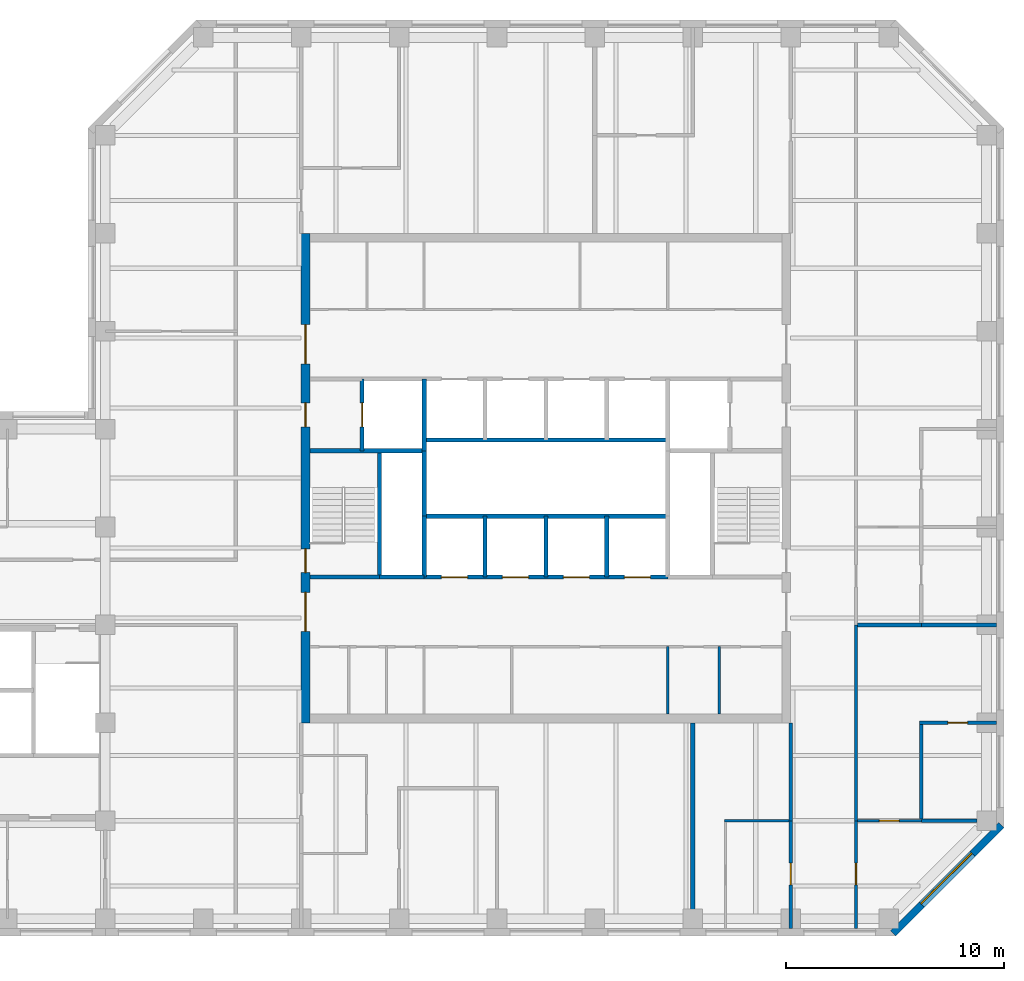
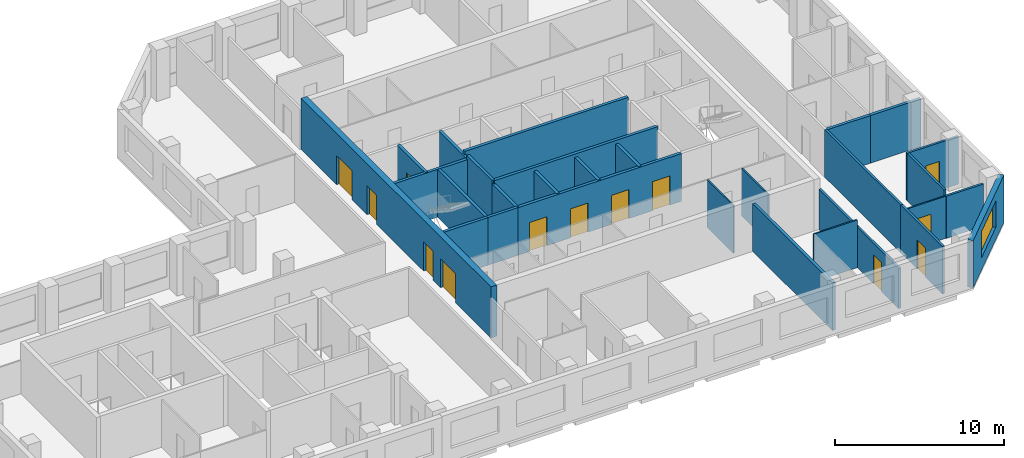
# One storey, part 5 of 9: 30 walls, 13 doors, 1 window, 14 openings.
"""IFC4 building model written with IfcOpenShell, lengths in metres."""

from ifc_helpers import new_model, si_unit, direction, frame, frame_2d, origin, place, context, subcontext, project, spatial, rectangle, extrude, material, layer, layer_set, constituent, constituent_set, type_object, element, fill, save


model = new_model("IFC4")

# Units and contexts
model_context = context("Model", 3, precision=1e-05, world=origin(), true_north=direction((0.0, 1.0)))
body_context = subcontext(model_context, "Body", "Model", "MODEL_VIEW")
ifc_project = project(units=[si_unit("LENGTHUNIT", "METRE"), si_unit("AREAUNIT", "SQUARE_METRE"), si_unit("VOLUMEUNIT", "CUBIC_METRE"), si_unit("PLANEANGLEUNIT", "RADIAN"), si_unit("MASSUNIT", "GRAM", prefix="KILO")], contexts=[model_context])

# Site, building, storey
site_placement = place(None, origin())
site = spatial("IfcSite", under=ifc_project, at=site_placement, CompositionType="ELEMENT")
building_placement = place(site_placement, origin())
building = spatial("IfcBuilding", under=site, at=building_placement, Name="Quoin Convention Tower", CompositionType="ELEMENT")
storey_placement = place(building_placement, frame((0.0, 0.0, 260.0)))
storey = spatial("IfcBuildingStorey", under=building, at=storey_placement, Name="L68", CompositionType="ELEMENT", Elevation=260.0)

# Wall, opening, door
ifc_material_1 = material(Name="Plasterboard")
ifc_layer_1 = layer(ifc_material_1, 0.012451171875, Name="Finish")
ifc_material_2 = material(Name="Steel stud framing", Category="steel")
ifc_layer_2 = layer(ifc_material_2, 0.125, Name="Structure")
ifc_layer_3 = layer(ifc_material_1, 0.012451171875, Name="Finish")
ifc_layer_set_1 = layer_set([ifc_layer_1, ifc_layer_2, ifc_layer_3], Name="Steel stud framing")
wall_type_1 = type_object("IfcWallType", Name="Acoustic partition 150", PredefinedType="PARTITIONING", material=ifc_layer_set_1)
wall_1_placement = place(storey_placement, frame((73.425048828125, 49.5, 0.0), z_axis=(0.0, 0.0, 1.0), x_axis=(1.0, 0.0, 0.0)))
wall_1 = element("IfcWall", 1, at=wall_1_placement, inside=storey, type_object=wall_type_1, Name="pw-L68-009", PredefinedType="PARTITIONING", context=body_context, shape_type="SweptSolid", body=[
    extrude(rectangle(XDim=3.52490234375, YDim=0.14990234375, at=frame_2d((1.762451171875, 0.0))), origin(), (0.0, 0.0, 1.0), 3.449951171875),
])
opening_1_placement = place(wall_1_placement, frame((1.300048828125, 0.0, 0.0)))
opening_1 = element("IfcOpeningElement", 2, at=opening_1_placement, cuts=wall_1, Name="Opening DOHS-02", PredefinedType="OPENING", context=body_context, shape_type="SweptSolid", body=[
    extrude(rectangle(XDim=0.89990234375, YDim=2.10009765625, at=frame_2d((0.449951171875, 1.050048828125))), frame((0.0, 0.0849609375, 0.0), z_axis=(0.0, -1.0, 0.0), x_axis=(1.0, 0.0, 0.0)), (0.0, 0.0, 1.0), 0.169921875),
])
ifc_material_3 = material(Name="Steel door leaf", Category="steel")
door_type_1 = type_object("IfcDoorType", Name="Office door 900 x 2100", OperationType="SINGLE_SWING_RIGHT", PredefinedType="DOOR", material=ifc_material_3)
door_1_placement = place(opening_1_placement, origin())
door_1 = element("IfcDoor", 3, at=door_1_placement, inside=storey, type_object=door_type_1, Name="dr-L68-16", OperationType="SINGLE_SWING_RIGHT", OverallHeight=2.10009765625, OverallWidth=0.89990234375, PredefinedType="DOOR", context=body_context, shape_type="SweptSolid", body=[
    extrude(rectangle(XDim=0.89990234375, YDim=2.10009765625, at=frame_2d((0.449951171875, 1.050048828125))), frame((0.0, 0.02490234375, 0.0), z_axis=(0.0, -1.0, 0.0), x_axis=(1.0, 0.0, 0.0)), (0.0, 0.0, 1.0), 0.050048828125),
])
fill(opening_1, door_1)

# Walls
wall_2_placement = place(storey_placement, frame((73.5, 45.074951171875, 0.0), z_axis=(0.0, 0.0, 1.0), x_axis=(0.0, 1.0, 0.0)))
element("IfcWall", 4, at=wall_2_placement, inside=storey, type_object=wall_type_1, Name="pw-L68-034", PredefinedType="PARTITIONING", context=body_context, shape_type="SweptSolid", body=[
    extrude(rectangle(XDim=4.35009765625, YDim=0.14990234375, at=frame_2d((2.175048828125, 0.0))), origin(), (0.0, 0.0, 1.0), 3.449951171875),
])
ifc_layer_4 = layer(ifc_material_1, 0.012451171875, Name="Finish")
ifc_layer_5 = layer(ifc_material_2, 0.125, Name="Structure")
ifc_layer_6 = layer(ifc_material_1, 0.012451171875, Name="Finish")
ifc_layer_set_2 = layer_set([ifc_layer_4, ifc_layer_5, ifc_layer_6], Name="Steel stud framing")
wall_type_2 = type_object("IfcWallType", Name="Acoustic partition 150 under beam 403", PredefinedType="PARTITIONING", material=ifc_layer_set_2)
wall_3_placement = place(storey_placement, frame((73.5, 45.0, 0.0), z_axis=(0.0, 0.0, 1.0), x_axis=(1.0, 0.0, 0.0)))
element("IfcWall", 5, at=wall_3_placement, inside=storey, type_object=wall_type_2, Name="pw-L68-004", PredefinedType="PARTITIONING", context=body_context, shape_type="SweptSolid", body=[
    extrude(rectangle(XDim=2.550048828125, YDim=0.14990234375, at=frame_2d((1.27490234375, 0.0))), origin(), (0.0, 0.0, 1.0), 3.047119140625),
])

# Wall, opening, window
ifc_material_4 = material(Name="Brick masonry", Category="masonry")
ifc_layer_7 = layer(ifc_material_4, 0.35009765625)
ifc_layer_set_3 = layer_set([ifc_layer_7], Name="Brick masonry")
wall_type_3 = type_object("IfcWallType", Name="Brick facade wall", PredefinedType="STANDARD", material=ifc_layer_set_3)
wall_4_placement = place(storey_placement, frame((72.20751953125, 39.82373046875, 0.0), z_axis=(0.0, 0.0, 1.0), x_axis=(0.707106781187, 0.707106781187, 0.0)))
wall_4 = element("IfcWall", 6, at=wall_4_placement, inside=storey, type_object=wall_type_3, Name="fw-L68-72000_40500", PredefinedType="STANDARD", context=body_context, shape_type="SweptSolid", body=[
    extrude(rectangle(XDim=7.02685546875, YDim=0.35009765625, at=frame_2d((3.513427734375, 0.0))), origin(), (0.0, 0.0, 1.0), 3.425048828125),
])
opening_2_placement = place(wall_4_placement, frame((1.86328125, 0.0, 0.89990234375)))
opening_2 = element("IfcOpeningElement", 7, at=opening_2_placement, cuts=wall_4, Name="Opening W-02", PredefinedType="OPENING", context=body_context, shape_type="SweptSolid", body=[
    extrude(rectangle(XDim=3.300048828125, YDim=1.89990234375, at=frame_2d((1.64990234375, 0.949951171875))), frame((0.0, 0.18505859375, 0.0), z_axis=(0.0, -1.0, 0.0), x_axis=(1.0, 0.0, 0.0)), (0.0, 0.0, 1.0), 0.3701171875),
])
ifc_material_5 = material(Name="Aluminium", Category="aluminium")
ifc_constituent_1 = constituent(ifc_material_5, Name="Frame")
ifc_material_6 = material(Name="Insulated glass", Category="glass")
ifc_constituent_2 = constituent(ifc_material_6, Name="Glazing")
ifc_constituent_set = constituent_set(constituents=[ifc_constituent_1, ifc_constituent_2], Name="Aluminium")
window_type = type_object("IfcWindowType", Name="Office window", PartitioningType="DOUBLE_PANEL_VERTICAL", PredefinedType="WINDOW", material=ifc_constituent_set)
window_placement = place(opening_2_placement, origin())
window = element("IfcWindow", 8, at=window_placement, inside=storey, type_object=window_type, Name="win-L68-74692_42308", OverallHeight=1.89990234375, OverallWidth=3.300048828125, PartitioningType="SINGLE_PANEL", PredefinedType="WINDOW", context=body_context, shape_type="SweptSolid", body=[
    extrude(rectangle(XDim=3.300048828125, YDim=1.89990234375, at=frame_2d((1.64990234375, 0.949951171875))), frame((0.0, 0.0849609375, 0.0), z_axis=(0.0, -1.0, 0.0), x_axis=(1.0, 0.0, 0.0)), (0.0, 0.0, 1.0), 0.06005859375),
])
fill(opening_2, window)

# Walls
ifc_layer_8 = layer(ifc_material_1, 0.012451171875, Name="Finish")
ifc_layer_9 = layer(ifc_material_2, 0.074951171875, Name="Structure")
ifc_layer_10 = layer(ifc_material_1, 0.012451171875, Name="Finish")
ifc_layer_set_4 = layer_set([ifc_layer_8, ifc_layer_9, ifc_layer_10], Name="Steel stud framing")
wall_type_4 = type_object("IfcWallType", Name="Core partition wall", PredefinedType="PARTITIONING", material=ifc_layer_set_4)
for number, where, z_axis, x_axis, name in (
    (9, (61.85009765625, 49.89990234375, 0.0), (0.0, 0.0, 1.0), (0.0, 1.0, 0.0), "cr-C1-L68-v16850_400"),
    (10, (64.21240234375, 49.89990234375, 0.0), (0.0, 0.0, 1.0), (0.0, 1.0, 0.0), "cr-C1-L68-v19212_400"),
):
    element("IfcWall", number, at=place(storey_placement, frame(where, z_axis=z_axis, x_axis=x_axis)), inside=storey, type_object=wall_type_4, Name=name, PredefinedType="PARTITIONING", context=body_context, shape_type="SweptSolid", body=[
        extrude(rectangle(XDim=3.10009765625, YDim=0.10009765625, at=frame_2d((1.550048828125, 0.0))), origin(), (0.0, 0.0, 1.0), 3.449951171875),
    ])
ifc_material_7 = material(Name="Concrete C50", Category="concrete")
ifc_layer_11 = layer(ifc_material_7, 0.199951171875)
ifc_layer_set_5 = layer_set([ifc_layer_11], Name="Concrete C50")
wall_type_5 = type_object("IfcWallType", Name="Core shaft wall", PredefinedType="SOLIDWALL", material=ifc_layer_set_5)
wall_5_placement = place(storey_placement, frame((48.60009765625, 56.199951171875, 0.0), z_axis=(0.0, 0.0, 1.0), x_axis=(1.0, 0.0, 0.0)))
element("IfcWall", 11, at=wall_5_placement, inside=storey, type_object=wall_type_5, Name="cr-C1-L68-h6700_3600", PredefinedType="SOLIDWALL", context=body_context, shape_type="SweptSolid", body=[
    extrude(rectangle(XDim=2.0498046875, YDim=0.199951171875, at=frame_2d((1.02490234375, 0.0))), origin(), (0.0, 0.0, 1.0), 3.449951171875),
])
wall_6_placement = place(storey_placement, frame((45.39990234375, 56.199951171875, 0.0), z_axis=(0.0, 0.0, 1.0), x_axis=(1.0, 0.0, 0.0)))
element("IfcWall", 12, at=wall_6_placement, inside=storey, type_object=wall_type_5, Name="cr-C1-L68-h6700_400", PredefinedType="SOLIDWALL", context=body_context, shape_type="SweptSolid", body=[
    extrude(rectangle(XDim=3.2001953125, YDim=0.199951171875, at=frame_2d((1.60009765625, 0.0))), origin(), (0.0, 0.0, 1.0), 3.449951171875),
])

# Wall, openings, doors
wall_7_placement = place(storey_placement, frame((50.64990234375, 56.199951171875, 0.0), z_axis=(0.0, 0.0, 1.0), x_axis=(1.0, 0.0, 0.0)))
wall_7 = element("IfcWall", 13, at=wall_7_placement, inside=storey, type_object=wall_type_5, Name="cr-C1-L68-h6700_5650", PredefinedType="SOLIDWALL", context=body_context, shape_type="SweptSolid", body=[
    extrude(rectangle(XDim=11.2001953125, YDim=0.199951171875, at=frame_2d((5.60009765625, 0.0))), origin(), (0.0, 0.0, 1.0), 3.449951171875),
])
opening_3_placement = place(wall_7_placement, frame((0.800048828125, 0.0, 0.0)))
opening_3 = element("IfcOpeningElement", 14, at=opening_3_placement, cuts=wall_7, Name="Opening LDH1", PredefinedType="OPENING", context=body_context, shape_type="SweptSolid", body=[
    extrude(rectangle(XDim=1.199951171875, YDim=2.10009765625, at=frame_2d((0.60009765625, 1.050048828125))), frame((0.0, 0.10986328125, 0.0), z_axis=(0.0, -1.0, 0.0), x_axis=(1.0, 0.0, 0.0)), (0.0, 0.0, 1.0), 0.219970703125),
])
opening_4_placement = place(wall_7_placement, frame((3.60009765625, 0.0, 0.0)))
opening_4 = element("IfcOpeningElement", 15, at=opening_4_placement, cuts=wall_7, Name="Opening LDH2", PredefinedType="OPENING", context=body_context, shape_type="SweptSolid", body=[
    extrude(rectangle(XDim=1.199951171875, YDim=2.10009765625, at=frame_2d((0.60009765625, 1.050048828125))), frame((0.0, 0.10986328125, 0.0), z_axis=(0.0, -1.0, 0.0), x_axis=(1.0, 0.0, 0.0)), (0.0, 0.0, 1.0), 0.219970703125),
])
opening_5_placement = place(wall_7_placement, frame((6.39990234375, 0.0, 0.0)))
opening_5 = element("IfcOpeningElement", 16, at=opening_5_placement, cuts=wall_7, Name="Opening LDH3", PredefinedType="OPENING", context=body_context, shape_type="SweptSolid", body=[
    extrude(rectangle(XDim=1.199951171875, YDim=2.10009765625, at=frame_2d((0.60009765625, 1.050048828125))), frame((0.0, 0.10986328125, 0.0), z_axis=(0.0, -1.0, 0.0), x_axis=(1.0, 0.0, 0.0)), (0.0, 0.0, 1.0), 0.219970703125),
])
opening_6_placement = place(wall_7_placement, frame((9.199951171875, 0.0, 0.0)))
opening_6 = element("IfcOpeningElement", 17, at=opening_6_placement, cuts=wall_7, Name="Opening LDH4", PredefinedType="OPENING", context=body_context, shape_type="SweptSolid", body=[
    extrude(rectangle(XDim=1.199951171875, YDim=2.10009765625, at=frame_2d((0.60009765625, 1.050048828125))), frame((0.0, 0.10986328125, 0.0), z_axis=(0.0, -1.0, 0.0), x_axis=(1.0, 0.0, 0.0)), (0.0, 0.0, 1.0), 0.219970703125),
])
door_type_2 = type_object("IfcDoorType", Name="Lift landing door 1200 x 2100", OperationType="DOUBLE_DOOR_SLIDING", PredefinedType="DOOR", material=ifc_material_3)
door_2_placement = place(opening_3_placement, origin())
door_2 = element("IfcDoor", 18, at=door_2_placement, inside=storey, type_object=door_type_2, Name="cd-C1-L68-R20-lobA-LDH1", OperationType="DOUBLE_DOOR_SLIDING", OverallHeight=2.10009765625, OverallWidth=1.199951171875, PredefinedType="DOOR", context=body_context, shape_type="SweptSolid", body=[
    extrude(rectangle(XDim=1.199951171875, YDim=2.10009765625, at=frame_2d((0.60009765625, 1.050048828125))), frame((0.0, 0.02490234375, 0.0), z_axis=(0.0, -1.0, 0.0), x_axis=(1.0, 0.0, 0.0)), (0.0, 0.0, 1.0), 0.050048828125),
])
fill(opening_3, door_2)
door_3_placement = place(opening_4_placement, origin())
door_3 = element("IfcDoor", 19, at=door_3_placement, inside=storey, type_object=door_type_2, Name="cd-C1-L68-R21-lobA-LDH2", OperationType="DOUBLE_DOOR_SLIDING", OverallHeight=2.10009765625, OverallWidth=1.199951171875, PredefinedType="DOOR", context=body_context, shape_type="SweptSolid", body=[
    extrude(rectangle(XDim=1.199951171875, YDim=2.10009765625, at=frame_2d((0.60009765625, 1.050048828125))), frame((0.0, 0.02490234375, 0.0), z_axis=(0.0, -1.0, 0.0), x_axis=(1.0, 0.0, 0.0)), (0.0, 0.0, 1.0), 0.050048828125),
])
fill(opening_4, door_3)
door_4_placement = place(opening_5_placement, origin())
door_4 = element("IfcDoor", 20, at=door_4_placement, inside=storey, type_object=door_type_2, Name="cd-C1-L68-R22-lobA-LDH3", OperationType="DOUBLE_DOOR_SLIDING", OverallHeight=2.10009765625, OverallWidth=1.199951171875, PredefinedType="DOOR", context=body_context, shape_type="SweptSolid", body=[
    extrude(rectangle(XDim=1.199951171875, YDim=2.10009765625, at=frame_2d((0.60009765625, 1.050048828125))), frame((0.0, 0.02490234375, 0.0), z_axis=(0.0, -1.0, 0.0), x_axis=(1.0, 0.0, 0.0)), (0.0, 0.0, 1.0), 0.050048828125),
])
fill(opening_5, door_4)
door_5_placement = place(opening_6_placement, origin())
door_5 = element("IfcDoor", 21, at=door_5_placement, inside=storey, type_object=door_type_2, Name="cd-C1-L68-R23-lobA-LDH4", OperationType="DOUBLE_DOOR_SLIDING", OverallHeight=2.10009765625, OverallWidth=1.199951171875, PredefinedType="DOOR", context=body_context, shape_type="SweptSolid", body=[
    extrude(rectangle(XDim=1.199951171875, YDim=2.10009765625, at=frame_2d((0.60009765625, 1.050048828125))), frame((0.0, 0.02490234375, 0.0), z_axis=(0.0, -1.0, 0.0), x_axis=(1.0, 0.0, 0.0)), (0.0, 0.0, 1.0), 0.050048828125),
])
fill(opening_6, door_5)

# Wall
wall_8_placement = place(storey_placement, frame((45.39990234375, 62.0, 0.0), z_axis=(0.0, 0.0, 1.0), x_axis=(1.0, 0.0, 0.0)))
element("IfcWall", 22, at=wall_8_placement, inside=storey, type_object=wall_type_5, Name="cr-C1-L68-h12500_400", PredefinedType="SOLIDWALL", context=body_context, shape_type="SweptSolid", body=[
    extrude(rectangle(XDim=5.25, YDim=0.199951171875, at=frame_2d((2.625, 0.0))), origin(), (0.0, 0.0, 1.0), 3.449951171875),
])

# Wall, opening, door
wall_9_placement = place(storey_placement, frame((47.800048828125, 62.0, 0.0), z_axis=(0.0, 0.0, 1.0), x_axis=(0.0, 1.0, 0.0)))
wall_9 = element("IfcWall", 23, at=wall_9_placement, inside=storey, type_object=wall_type_5, Name="cr-C1-L68-v2800_12500", PredefinedType="SOLIDWALL", context=body_context, shape_type="SweptSolid", body=[
    extrude(rectangle(XDim=3.300048828125, YDim=0.199951171875, at=frame_2d((1.64990234375, 0.0))), origin(), (0.0, 0.0, 1.0), 3.449951171875),
])
opening_7_placement = place(wall_9_placement, frame((1.10009765625, 0.0, 0.0)))
opening_7 = element("IfcOpeningElement", 24, at=opening_7_placement, cuts=wall_9, Name="Opening LDFL1", PredefinedType="OPENING", context=body_context, shape_type="SweptSolid", body=[
    extrude(rectangle(XDim=1.10009765625, YDim=2.10009765625, at=frame_2d((0.550048828125, 1.050048828125))), frame((0.0, 0.10986328125, 0.0), z_axis=(0.0, -1.0, 0.0), x_axis=(1.0, 0.0, 0.0)), (0.0, 0.0, 1.0), 0.219970703125),
])
door_type_3 = type_object("IfcDoorType", Name="Lift landing door 1100 x 2100", OperationType="DOUBLE_DOOR_SLIDING", PredefinedType="DOOR", material=ifc_material_3)
door_6_placement = place(opening_7_placement, origin())
door_6 = element("IfcDoor", 25, at=door_6_placement, inside=storey, type_object=door_type_3, Name="cd-C1-L68-FLW-FFW-LDFL1", OperationType="DOUBLE_DOOR_SLIDING", OverallHeight=2.10009765625, OverallWidth=1.10009765625, PredefinedType="DOOR", context=body_context, shape_type="SweptSolid", body=[
    extrude(rectangle(XDim=1.10009765625, YDim=2.10009765625, at=frame_2d((0.550048828125, 1.050048828125))), frame((0.0, 0.02490234375, 0.0), z_axis=(0.0, -1.0, 0.0), x_axis=(1.0, 0.0, 0.0)), (0.0, 0.0, 1.0), 0.050048828125),
])
fill(opening_7, door_6)

# Walls
wall_10_placement = place(storey_placement, frame((48.60009765625, 56.199951171875, 0.0), z_axis=(0.0, 0.0, 1.0), x_axis=(0.0, 1.0, 0.0)))
element("IfcWall", 26, at=wall_10_placement, inside=storey, type_object=wall_type_5, Name="cr-C1-L68-v3600_6700", PredefinedType="SOLIDWALL", context=body_context, shape_type="SweptSolid", body=[
    extrude(rectangle(XDim=5.800048828125, YDim=0.199951171875, at=frame_2d((2.89990234375, 0.0))), origin(), (0.0, 0.0, 1.0), 3.449951171875),
])
wall_11_placement = place(storey_placement, frame((50.64990234375, 56.199951171875, 0.0), z_axis=(0.0, 0.0, 1.0), x_axis=(0.0, 1.0, 0.0)))
element("IfcWall", 27, at=wall_11_placement, inside=storey, type_object=wall_type_5, Name="cr-C1-L68-v5650_6700", PredefinedType="SOLIDWALL", context=body_context, shape_type="SweptSolid", body=[
    extrude(rectangle(XDim=2.800048828125, YDim=0.199951171875, at=frame_2d((1.39990234375, 0.0))), origin(), (0.0, 0.0, 1.0), 3.449951171875),
])
wall_12_placement = place(storey_placement, frame((50.64990234375, 62.0, 0.0), z_axis=(0.0, 0.0, 1.0), x_axis=(0.0, 1.0, 0.0)))
element("IfcWall", 28, at=wall_12_placement, inside=storey, type_object=wall_type_5, Name="cr-C1-L68-v5650_12500", PredefinedType="SOLIDWALL", context=body_context, shape_type="SweptSolid", body=[
    extrude(rectangle(XDim=3.300048828125, YDim=0.199951171875, at=frame_2d((1.64990234375, 0.0))), origin(), (0.0, 0.0, 1.0), 3.449951171875),
])
for number, where, z_axis, x_axis, name in (
    (29, (53.449951171875, 56.199951171875, 0.0), (0.0, 0.0, 1.0), (0.0, 1.0, 0.0), "cr-C1-L68-v8450_6700"),
    (30, (56.25, 56.199951171875, 0.0), (0.0, 0.0, 1.0), (0.0, 1.0, 0.0), "cr-C1-L68-v11250_6700"),
    (31, (59.050048828125, 56.199951171875, 0.0), (0.0, 0.0, 1.0), (0.0, 1.0, 0.0), "cr-C1-L68-v14050_6700"),
):
    element("IfcWall", number, at=place(storey_placement, frame(where, z_axis=z_axis, x_axis=x_axis)), inside=storey, type_object=wall_type_5, Name=name, PredefinedType="SOLIDWALL", context=body_context, shape_type="SweptSolid", body=[
        extrude(rectangle(XDim=2.800048828125, YDim=0.199951171875, at=frame_2d((1.39990234375, 0.0))), origin(), (0.0, 0.0, 1.0), 3.449951171875),
    ])
ifc_layer_12 = layer(ifc_material_7, 0.199951171875)
ifc_layer_set_6 = layer_set([ifc_layer_12], Name="Concrete C50")
wall_type_6 = type_object("IfcWallType", Name="Core shaft wall to the floor level over", PredefinedType="SOLIDWALL", material=ifc_layer_set_6)
for number, where, z_axis, x_axis, name in (
    (32, (50.64990234375, 59.0, 0.0), (0.0, 0.0, 1.0), (1.0, 0.0, 0.0), "cr-C1-L68-h9500_5650"),
    (33, (50.64990234375, 62.5, 0.0), (0.0, 0.0, 1.0), (1.0, 0.0, 0.0), "cr-C1-L68-h13000_5650"),
):
    element("IfcWall", number, at=place(storey_placement, frame(where, z_axis=z_axis, x_axis=x_axis)), inside=storey, type_object=wall_type_6, Name=name, PredefinedType="SOLIDWALL", context=body_context, shape_type="SweptSolid", body=[
        extrude(rectangle(XDim=11.2001953125, YDim=0.199951171875, at=frame_2d((5.60009765625, 0.0))), origin(), (0.0, 0.0, 1.0), 3.699951171875),
    ])
wall_13_placement = place(storey_placement, frame((50.64990234375, 59.0, 0.0), z_axis=(0.0, 0.0, 1.0), x_axis=(0.0, 1.0, 0.0)))
element("IfcWall", 34, at=wall_13_placement, inside=storey, type_object=wall_type_6, Name="cr-C1-L68-v5650_9500", PredefinedType="SOLIDWALL", context=body_context, shape_type="SweptSolid", body=[
    extrude(rectangle(XDim=3.0, YDim=0.199951171875, at=frame_2d((1.5, 0.0))), origin(), (0.0, 0.0, 1.0), 3.699951171875),
])

# Wall, opening, door
ifc_layer_13 = layer(ifc_material_1, 0.012451171875, Name="Finish")
ifc_layer_14 = layer(ifc_material_2, 0.125, Name="Structure")
ifc_layer_15 = layer(ifc_material_1, 0.012451171875, Name="Finish")
ifc_layer_set_7 = layer_set([ifc_layer_13, ifc_layer_14, ifc_layer_15], Name="Steel stud framing")
wall_type_7 = type_object("IfcWallType", Name="Corridor wall 150", PredefinedType="PARTITIONING", material=ifc_layer_set_7)
wall_14_placement = place(storey_placement, frame((70.5, 40.050048828125, 0.0), z_axis=(0.0, 0.0, 1.0), x_axis=(0.0, 1.0, 0.0)))
wall_14 = element("IfcWall", 35, at=wall_14_placement, inside=storey, type_object=wall_type_7, Name="pw-L68-028", PredefinedType="PARTITIONING", context=body_context, shape_type="SweptSolid", body=[
    extrude(rectangle(XDim=4.949951171875, YDim=0.14990234375, at=frame_2d((2.47509765625, 0.0))), origin(), (0.0, 0.0, 1.0), 3.449951171875),
])
opening_8_placement = place(wall_14_placement, frame((2.0, 0.0, 0.0)))
opening_8 = element("IfcOpeningElement", 36, at=opening_8_placement, cuts=wall_14, Name="Opening DOHS-10", PredefinedType="OPENING", context=body_context, shape_type="SweptSolid", body=[
    extrude(rectangle(XDim=1.0, YDim=2.10009765625, at=frame_2d((0.5, 1.050048828125))), frame((0.0, 0.0849609375, 0.0), z_axis=(0.0, -1.0, 0.0), x_axis=(1.0, 0.0, 0.0)), (0.0, 0.0, 1.0), 0.169921875),
])
door_type_4 = type_object("IfcDoorType", Name="Tenancy entrance door 1000 x 2100", OperationType="DOUBLE_DOOR_SINGLE_SWING", PredefinedType="DOOR", material=ifc_material_3)
door_7_placement = place(opening_8_placement, frame((1.0, 0.0, 0.0), z_axis=(0.0, 0.0, 1.0), x_axis=(-1.0, 0.0, 0.0)))
door_7 = element("IfcDoor", 37, at=door_7_placement, inside=storey, type_object=door_type_4, Name="dr-L68-14", OperationType="DOUBLE_DOOR_SINGLE_SWING", OverallHeight=2.10009765625, OverallWidth=1.0, PredefinedType="DOOR", context=body_context, shape_type="SweptSolid", body=[
    extrude(rectangle(XDim=1.0, YDim=2.10009765625, at=frame_2d((0.5, 1.050048828125))), frame((0.0, 0.02490234375, 0.0), z_axis=(0.0, -1.0, 0.0), x_axis=(1.0, 0.0, 0.0)), (0.0, 0.0, 1.0), 0.050048828125),
])
fill(opening_8, door_7)

# Wall
wall_15_placement = place(storey_placement, frame((70.5, 45.0, 0.0), z_axis=(0.0, 0.0, 1.0), x_axis=(0.0, 1.0, 0.0)))
element("IfcWall", 38, at=wall_15_placement, inside=storey, type_object=wall_type_7, Name="pw-L68-033", PredefinedType="PARTITIONING", context=body_context, shape_type="SweptSolid", body=[
    extrude(rectangle(XDim=9.0, YDim=0.14990234375, at=frame_2d((4.5, 0.0))), origin(), (0.0, 0.0, 1.0), 3.449951171875),
])

# Wall, opening, door
ifc_layer_16 = layer(ifc_material_1, 0.012451171875, Name="Finish")
ifc_layer_17 = layer(ifc_material_2, 0.125, Name="Structure")
ifc_layer_18 = layer(ifc_material_1, 0.012451171875, Name="Finish")
ifc_layer_set_8 = layer_set([ifc_layer_16, ifc_layer_17, ifc_layer_18], Name="Steel stud framing")
wall_type_8 = type_object("IfcWallType", Name="Corridor wall 150 under beam 528", PredefinedType="PARTITIONING", material=ifc_layer_set_8)
wall_16_placement = place(storey_placement, frame((67.5, 40.050048828125, 0.0), z_axis=(0.0, 0.0, 1.0), x_axis=(0.0, 1.0, 0.0)))
wall_16 = element("IfcWall", 39, at=wall_16_placement, inside=storey, type_object=wall_type_8, Name="pw-L68-027", PredefinedType="PARTITIONING", context=body_context, shape_type="SweptSolid", body=[
    extrude(rectangle(XDim=4.949951171875, YDim=0.14990234375, at=frame_2d((2.47509765625, 0.0))), origin(), (0.0, 0.0, 1.0), 2.922119140625),
])
opening_9_placement = place(wall_16_placement, frame((2.0, 0.0, 0.0)))
opening_9 = element("IfcOpeningElement", 40, at=opening_9_placement, cuts=wall_16, Name="Opening DOHS-09", PredefinedType="OPENING", context=body_context, shape_type="SweptSolid", body=[
    extrude(rectangle(XDim=1.0, YDim=2.10009765625, at=frame_2d((0.5, 1.050048828125))), frame((0.0, 0.0849609375, 0.0), z_axis=(0.0, -1.0, 0.0), x_axis=(1.0, 0.0, 0.0)), (0.0, 0.0, 1.0), 0.169921875),
])
door_8_placement = place(opening_9_placement, origin())
door_8 = element("IfcDoor", 41, at=door_8_placement, inside=storey, type_object=door_type_4, Name="dr-L68-08", OperationType="DOUBLE_DOOR_SINGLE_SWING", OverallHeight=2.10009765625, OverallWidth=1.0, PredefinedType="DOOR", context=body_context, shape_type="SweptSolid", body=[
    extrude(rectangle(XDim=1.0, YDim=2.10009765625, at=frame_2d((0.5, 1.050048828125))), frame((0.0, 0.02490234375, 0.0), z_axis=(0.0, -1.0, 0.0), x_axis=(1.0, 0.0, 0.0)), (0.0, 0.0, 1.0), 0.050048828125),
])
fill(opening_9, door_8)

# Wall
wall_17_placement = place(storey_placement, frame((67.5, 45.0, 0.0), z_axis=(0.0, 0.0, 1.0), x_axis=(0.0, 1.0, 0.0)))
element("IfcWall", 42, at=wall_17_placement, inside=storey, type_object=wall_type_8, Name="pw-L68-032", PredefinedType="PARTITIONING", context=body_context, shape_type="SweptSolid", body=[
    extrude(rectangle(XDim=4.5, YDim=0.14990234375, at=frame_2d((2.25, 0.0))), origin(), (0.0, 0.0, 1.0), 2.922119140625),
])

# Wall, openings, doors
ifc_layer_19 = layer(ifc_material_7, 0.39990234375)
ifc_layer_set_9 = layer_set([ifc_layer_19], Name="Concrete C50")
wall_type_9 = type_object("IfcWallType", Name="RC CORE WALL 400 C50", PredefinedType="SHEAR", material=ifc_layer_set_9)
wall_18_placement = place(storey_placement, frame((45.199951171875, 49.5, 0.0), z_axis=(0.0, 0.0, 1.0), x_axis=(0.0, 1.0, 0.0)))
wall_18 = element("IfcWall", 43, at=wall_18_placement, inside=storey, type_object=wall_type_9, Name="cwl-C1-L68-W", PredefinedType="SHEAR", context=body_context, shape_type="SweptSolid", body=[
    extrude(rectangle(XDim=22.5, YDim=0.39990234375, at=frame_2d((11.25, 0.0))), origin(), (0.0, 0.0, 1.0), 3.699951171875),
])
opening_10_placement = place(wall_18_placement, frame((4.199951171875, 0.0, 0.0)))
opening_10 = element("IfcOpeningElement", 44, at=opening_10_placement, cuts=wall_18, Name="Opening DCV5-50", PredefinedType="OPENING", context=body_context, shape_type="SweptSolid", body=[
    extrude(rectangle(XDim=1.800048828125, YDim=2.10009765625, at=frame_2d((0.89990234375, 1.050048828125))), frame((0.0, 0.2099609375, 0.0), z_axis=(0.0, -1.0, 0.0), x_axis=(1.0, 0.0, 0.0)), (0.0, 0.0, 1.0), 0.419921875),
])
opening_11_placement = place(wall_18_placement, frame((6.89990234375, 0.0, 0.0)))
opening_11 = element("IfcOpeningElement", 45, at=opening_11_placement, cuts=wall_18, Name="Opening SD1", PredefinedType="OPENING", context=body_context, shape_type="SweptSolid", body=[
    extrude(rectangle(XDim=1.10009765625, YDim=2.10009765625, at=frame_2d((0.550048828125, 1.050048828125))), frame((0.0, 0.2099609375, 0.0), z_axis=(0.0, -1.0, 0.0), x_axis=(1.0, 0.0, 0.0)), (0.0, 0.0, 1.0), 0.419921875),
])
opening_12_placement = place(wall_18_placement, frame((13.60009765625, 0.0, 0.0)))
opening_12 = element("IfcOpeningElement", 46, at=opening_12_placement, cuts=wall_18, Name="Opening DCV5-49", PredefinedType="OPENING", context=body_context, shape_type="SweptSolid", body=[
    extrude(rectangle(XDim=1.10009765625, YDim=2.10009765625, at=frame_2d((0.550048828125, 1.050048828125))), frame((0.0, 0.2099609375, 0.0), z_axis=(0.0, -1.0, 0.0), x_axis=(1.0, 0.0, 0.0)), (0.0, 0.0, 1.0), 0.419921875),
])
opening_13_placement = place(wall_18_placement, frame((16.5, 0.0, 0.0)))
opening_13 = element("IfcOpeningElement", 47, at=opening_13_placement, cuts=wall_18, Name="Opening DCV5-50", PredefinedType="OPENING", context=body_context, shape_type="SweptSolid", body=[
    extrude(rectangle(XDim=1.800048828125, YDim=2.10009765625, at=frame_2d((0.89990234375, 1.050048828125))), frame((0.0, 0.2099609375, 0.0), z_axis=(0.0, -1.0, 0.0), x_axis=(1.0, 0.0, 0.0)), (0.0, 0.0, 1.0), 0.419921875),
])
door_type_5 = type_object("IfcDoorType", Name="Fire-fighting lobby door 1100 x 2100", OperationType="SINGLE_SWING_LEFT", PredefinedType="DOOR", material=ifc_material_3)
door_9_placement = place(opening_12_placement, frame((1.10009765625, 0.0, 0.0), z_axis=(0.0, 0.0, 1.0), x_axis=(-1.0, 0.0, 0.0)))
door_9 = element("IfcDoor", 48, at=door_9_placement, inside=storey, type_object=door_type_5, Name="cd-C1-L68-FFW-W", OperationType="SINGLE_SWING_LEFT", OverallHeight=2.10009765625, OverallWidth=1.10009765625, PredefinedType="DOOR", context=body_context, shape_type="SweptSolid", body=[
    extrude(rectangle(XDim=1.10009765625, YDim=2.10009765625, at=frame_2d((0.550048828125, 1.050048828125))), frame((0.0, 0.02490234375, 0.0), z_axis=(0.0, -1.0, 0.0), x_axis=(1.0, 0.0, 0.0)), (0.0, 0.0, 1.0), 0.050048828125),
])
fill(opening_12, door_9)
door_type_6 = type_object("IfcDoorType", Name="Lift lobby door 1800 x 2100", OperationType="SINGLE_SWING_LEFT", PredefinedType="DOOR", material=ifc_material_3)
door_10_placement = place(opening_10_placement, frame((1.800048828125, 0.0, 0.0), z_axis=(0.0, 0.0, 1.0), x_axis=(-1.0, 0.0, 0.0)))
door_10 = element("IfcDoor", 49, at=door_10_placement, inside=storey, type_object=door_type_6, Name="cd-C1-L68-lobA-W", OperationType="SINGLE_SWING_LEFT", OverallHeight=2.10009765625, OverallWidth=1.800048828125, PredefinedType="DOOR", context=body_context, shape_type="SweptSolid", body=[
    extrude(rectangle(XDim=1.800048828125, YDim=2.10009765625, at=frame_2d((0.89990234375, 1.050048828125))), frame((0.0, 0.02490234375, 0.0), z_axis=(0.0, -1.0, 0.0), x_axis=(1.0, 0.0, 0.0)), (0.0, 0.0, 1.0), 0.050048828125),
])
fill(opening_10, door_10)
door_11_placement = place(opening_13_placement, frame((1.800048828125, 0.0, 0.0), z_axis=(0.0, 0.0, 1.0), x_axis=(-1.0, 0.0, 0.0)))
door_11 = element("IfcDoor", 50, at=door_11_placement, inside=storey, type_object=door_type_6, Name="cd-C1-L68-lobB-W", OperationType="SINGLE_SWING_LEFT", OverallHeight=2.10009765625, OverallWidth=1.800048828125, PredefinedType="DOOR", context=body_context, shape_type="SweptSolid", body=[
    extrude(rectangle(XDim=1.800048828125, YDim=2.10009765625, at=frame_2d((0.89990234375, 1.050048828125))), frame((0.0, 0.02490234375, 0.0), z_axis=(0.0, -1.0, 0.0), x_axis=(1.0, 0.0, 0.0)), (0.0, 0.0, 1.0), 0.050048828125),
])
fill(opening_13, door_11)
door_type_7 = type_object("IfcDoorType", Name="Stair door 1100 x 2100", OperationType="SINGLE_SWING_RIGHT", PredefinedType="DOOR", material=ifc_material_3)
door_12_placement = place(opening_11_placement, frame((1.10009765625, 0.0, 0.0), z_axis=(0.0, 0.0, 1.0), x_axis=(-1.0, 0.0, 0.0)))
door_12 = element("IfcDoor", 51, at=door_12_placement, inside=storey, type_object=door_type_7, Name="cd-C1-L68-STW-W", OperationType="SINGLE_SWING_RIGHT", OverallHeight=2.10009765625, OverallWidth=1.10009765625, PredefinedType="DOOR", context=body_context, shape_type="SweptSolid", body=[
    extrude(rectangle(XDim=1.10009765625, YDim=2.10009765625, at=frame_2d((0.550048828125, 1.050048828125))), frame((0.0, 0.02490234375, 0.0), z_axis=(0.0, -1.0, 0.0), x_axis=(1.0, 0.0, 0.0)), (0.0, 0.0, 1.0), 0.050048828125),
])
fill(opening_11, door_12)

# Wall
ifc_layer_20 = layer(ifc_material_1, 0.012451171875, Name="Finish")
ifc_layer_21 = layer(ifc_material_2, 0.074951171875, Name="Structure")
ifc_layer_22 = layer(ifc_material_1, 0.012451171875, Name="Finish")
ifc_layer_set_10 = layer_set([ifc_layer_20, ifc_layer_21, ifc_layer_22], Name="Steel stud framing")
wall_type_10 = type_object("IfcWallType", Name="Stud partition 100", PredefinedType="PARTITIONING", material=ifc_layer_set_10)
wall_19_placement = place(storey_placement, frame((64.449951171875, 45.0, 0.0), z_axis=(0.0, 0.0, 1.0), x_axis=(1.0, 0.0, 0.0)))
element("IfcWall", 52, at=wall_19_placement, inside=storey, type_object=wall_type_10, Name="pw-L68-002", PredefinedType="PARTITIONING", context=body_context, shape_type="SweptSolid", body=[
    extrude(rectangle(XDim=2.97509765625, YDim=0.10009765625, at=frame_2d((1.487548828125, 0.0))), origin(), (0.0, 0.0, 1.0), 3.449951171875),
])

# Wall, opening, door
ifc_layer_23 = layer(ifc_material_1, 0.012451171875, Name="Finish")
ifc_layer_24 = layer(ifc_material_2, 0.074951171875, Name="Structure")
ifc_layer_25 = layer(ifc_material_1, 0.012451171875, Name="Finish")
ifc_layer_set_11 = layer_set([ifc_layer_23, ifc_layer_24, ifc_layer_25], Name="Steel stud framing")
wall_type_11 = type_object("IfcWallType", Name="Stud partition 100 under beam 403", PredefinedType="PARTITIONING", material=ifc_layer_set_11)
wall_20_placement = place(storey_placement, frame((70.574951171875, 45.0, 0.0), z_axis=(0.0, 0.0, 1.0), x_axis=(1.0, 0.0, 0.0)))
wall_20 = element("IfcWall", 53, at=wall_20_placement, inside=storey, type_object=wall_type_11, Name="pw-L68-003", PredefinedType="PARTITIONING", context=body_context, shape_type="SweptSolid", body=[
    extrude(rectangle(XDim=2.925048828125, YDim=0.10009765625, at=frame_2d((1.46240234375, 0.0))), origin(), (0.0, 0.0, 1.0), 3.047119140625),
])
opening_14_placement = place(wall_20_placement, frame((1.0, 0.0, 0.0)))
opening_14 = element("IfcOpeningElement", 54, at=opening_14_placement, cuts=wall_20, Name="Opening DOHS-01", PredefinedType="OPENING", context=body_context, shape_type="SweptSolid", body=[
    extrude(rectangle(XDim=0.89990234375, YDim=2.10009765625, at=frame_2d((0.449951171875, 1.050048828125))), frame((0.0, 0.06005859375, 0.0), z_axis=(0.0, -1.0, 0.0), x_axis=(1.0, 0.0, 0.0)), (0.0, 0.0, 1.0), 0.1201171875),
])
door_13_placement = place(opening_14_placement, origin())
door_13 = element("IfcDoor", 55, at=door_13_placement, inside=storey, type_object=door_type_1, Name="dr-L68-15", OperationType="SINGLE_SWING_RIGHT", OverallHeight=2.10009765625, OverallWidth=0.89990234375, PredefinedType="DOOR", context=body_context, shape_type="SweptSolid", body=[
    extrude(rectangle(XDim=0.89990234375, YDim=2.10009765625, at=frame_2d((0.449951171875, 1.050048828125))), frame((0.0, 0.02490234375, 0.0), z_axis=(0.0, -1.0, 0.0), x_axis=(1.0, 0.0, 0.0)), (0.0, 0.0, 1.0), 0.050048828125),
])
fill(opening_14, door_13)

# Walls
ifc_layer_26 = layer(ifc_material_1, 0.012451171875, Name="Finish")
ifc_layer_27 = layer(ifc_material_2, 0.175048828125, Name="Structure")
ifc_layer_28 = layer(ifc_material_1, 0.012451171875, Name="Finish")
ifc_layer_set_12 = layer_set([ifc_layer_26, ifc_layer_27, ifc_layer_28], Name="Steel stud framing")
wall_type_12 = type_object("IfcWallType", Name="Tenancy demising wall 200", PredefinedType="PARTITIONING", material=ifc_layer_set_12)
wall_21_placement = place(storey_placement, frame((70.574951171875, 54.0, 0.0), z_axis=(0.0, 0.0, 1.0), x_axis=(1.0, 0.0, 0.0)))
element("IfcWall", 56, at=wall_21_placement, inside=storey, type_object=wall_type_12, Name="pw-L68-012", PredefinedType="PARTITIONING", context=body_context, shape_type="SweptSolid", body=[
    extrude(rectangle(XDim=2.925048828125, YDim=0.199951171875, at=frame_2d((1.46240234375, 0.0))), origin(), (0.0, 0.0, 1.0), 3.449951171875),
])
wall_22_placement = place(storey_placement, frame((73.5, 54.0, 0.0), z_axis=(0.0, 0.0, 1.0), x_axis=(1.0, 0.0, 0.0)))
element("IfcWall", 57, at=wall_22_placement, inside=storey, type_object=wall_type_12, Name="pw-L68-013", PredefinedType="PARTITIONING", context=body_context, shape_type="SweptSolid", body=[
    extrude(rectangle(XDim=3.449951171875, YDim=0.199951171875, at=frame_2d((1.72509765625, 0.0))), origin(), (0.0, 0.0, 1.0), 3.449951171875),
])
wall_23_placement = place(storey_placement, frame((63.0, 40.050048828125, 0.0), z_axis=(0.0, 0.0, 1.0), x_axis=(0.0, 1.0, 0.0)))
element("IfcWall", 58, at=wall_23_placement, inside=storey, type_object=wall_type_12, Name="pw-L68-025", PredefinedType="PARTITIONING", context=body_context, shape_type="SweptSolid", body=[
    extrude(rectangle(XDim=9.449951171875, YDim=0.199951171875, at=frame_2d((4.72509765625, 0.0))), origin(), (0.0, 0.0, 1.0), 3.449951171875),
])

save(model, "model.ifc")
